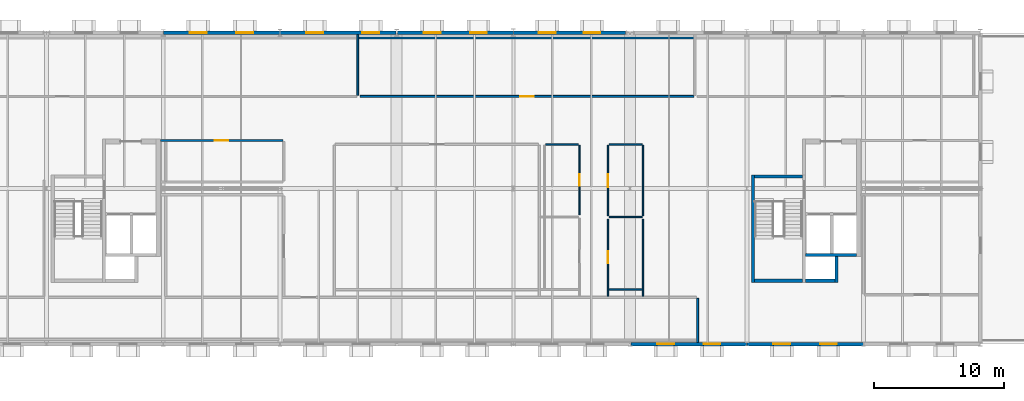
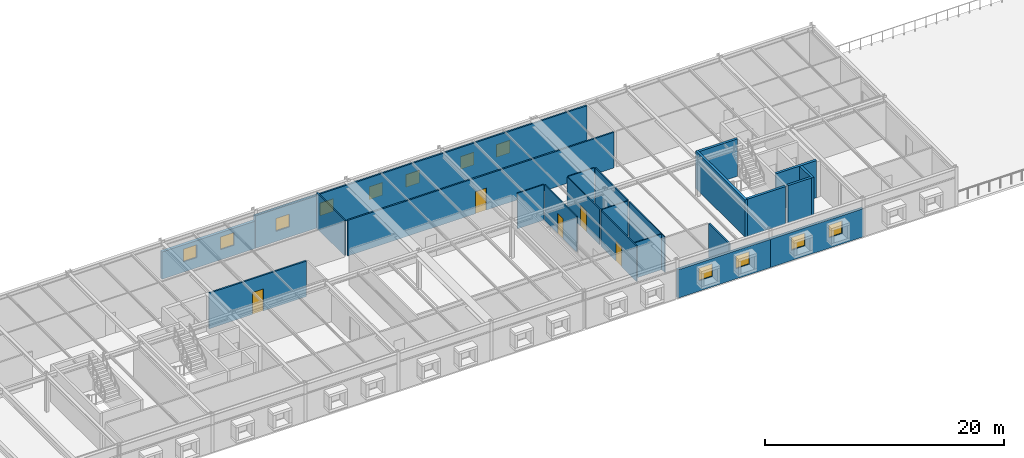
# One storey, part 13 of 17: 26 walls, 12 windows, 5 doors, 17 openings.
"""IFC4 building model written with IfcOpenShell, lengths in metres."""

from ifc_helpers import new_model, si_unit, direction, frame, frame_2d, origin, place, context, subcontext, project, spatial, rectangle, extrude, material, layer, layer_set, type_object, element, fill, save


model = new_model("IFC4")

# Units and contexts
model_context = context("Model", 3, precision=1e-05, world=origin(), true_north=direction((0.0, 1.0)))
body_context = subcontext(model_context, "Body", "Model", "MODEL_VIEW")
ifc_project = project(units=[si_unit("LENGTHUNIT", "METRE"), si_unit("AREAUNIT", "SQUARE_METRE"), si_unit("VOLUMEUNIT", "CUBIC_METRE"), si_unit("PLANEANGLEUNIT", "RADIAN"), si_unit("MASSUNIT", "GRAM", prefix="KILO")], contexts=[model_context])

# Site, building, storey
site_placement = place(None, origin())
site = spatial("IfcSite", under=ifc_project, at=site_placement, CompositionType="ELEMENT")
building_placement = place(site_placement, origin())
building = spatial("IfcBuilding", under=site, at=building_placement, Name="Montelvaro Courts of Justice", CompositionType="ELEMENT")
storey_placement = place(building_placement, frame((0.0, 0.0, 27.39990234375)))
storey = spatial("IfcBuildingStorey", under=building, at=storey_placement, Name="L06", CompositionType="ELEMENT", Elevation=27.39990234375)

# Wall
ifc_material_1 = material(Name="Gypsum board on metal stud")
ifc_layer_1 = layer(ifc_material_1, 0.14990234375)
ifc_layer_set_1 = layer_set([ifc_layer_1], Name="Gypsum board on metal stud")
wall_type_1 = type_object("IfcWallType", Name="ChambersPartition_150", PredefinedType="PARTITIONING", material=ifc_layer_set_1)
wall_1_placement = place(storey_placement, frame((104.199951171875, 3.52001953125, 0.0), z_axis=(0.0, 0.0, 1.0), x_axis=(0.0, -1.0, 0.0)))
element("IfcWall", 1, at=wall_1_placement, inside=storey, type_object=wall_type_1, Name="Interior Partition IW-04 (L06)", PredefinedType="PARTITIONING", context=body_context, shape_type="SweptSolid", body=[
    extrude(rectangle(XDim=3.385009765625, YDim=0.14990234375, at=frame_2d((1.6923828125, 0.0))), origin(), (0.0, 0.0, 1.0), 3.64013671875),
])

# Wall, opening, door
wall_2_placement = place(storey_placement, frame((62.794921875, 15.699951171875, 0.0), z_axis=(0.0, 0.0, 1.0), x_axis=(1.0, 0.0, 0.0)))
wall_2 = element("IfcWall", 2, at=wall_2_placement, inside=storey, type_object=wall_type_1, Name="Interior Partition IW-04 (L06)", PredefinedType="PARTITIONING", context=body_context, shape_type="SweptSolid", body=[
    extrude(rectangle(XDim=9.425048828125, YDim=0.14990234375, at=frame_2d((4.71240234375, 0.0))), origin(), (0.0, 0.0, 1.0), 3.64013671875),
])
opening_1_placement = place(wall_2_placement, frame((4.18701171875, 0.0, 0.0)))
opening_1 = element("IfcOpeningElement", 3, at=opening_1_placement, cuts=wall_2, Name="Opening D-L06-166", PredefinedType="OPENING", context=body_context, shape_type="SweptSolid", body=[
    extrude(rectangle(XDim=1.050048828125, YDim=2.25, at=frame_2d((0.52490234375, 1.125))), frame((0.0, 0.08984375, 0.0), z_axis=(0.0, -1.0, 0.0), x_axis=(1.0, 0.0, 0.0)), (0.0, 0.0, 1.0), 0.1796875),
])
ifc_material_2 = material(Name="Acoustic oak timber veneer", Category="wood")
door_type_1 = type_object("IfcDoorType", Name="ChamberDoor_105x225", OperationType="NOTDEFINED", PredefinedType="DOOR", material=ifc_material_2)
door_1_placement = place(opening_1_placement, origin())
door_1 = element("IfcDoor", 4, at=door_1_placement, inside=storey, type_object=door_type_1, Name="Interior Door D-L06-166 (Witness Waiting Suite L06)", OperationType="SINGLE_SWING_LEFT", OverallHeight=2.25, OverallWidth=1.050048828125, PredefinedType="DOOR", context=body_context, shape_type="SweptSolid", body=[
    extrude(rectangle(XDim=1.050048828125, YDim=2.25, at=frame_2d((0.52490234375, 1.125))), frame((0.0, 0.02490234375, 0.0), z_axis=(0.0, -1.0, 0.0), x_axis=(1.0, 0.0, 0.0)), (0.0, 0.0, 1.0), 0.050048828125),
])
fill(opening_1, door_1)

# Wall
wall_3_placement = place(storey_placement, frame((78.054931640625, 23.60009765625, 0.0), z_axis=(0.0, 0.0, 1.0), x_axis=(1.0, 0.0, 0.0)))
element("IfcWall", 5, at=wall_3_placement, inside=storey, type_object=wall_type_1, Name="Interior Partition IW-04 (L06)", PredefinedType="PARTITIONING", context=body_context, shape_type="SweptSolid", body=[
    extrude(rectangle(XDim=25.864990234375, YDim=0.14990234375, at=frame_2d((12.9326171875, 0.0))), origin(), (0.0, 0.0, 1.0), 3.64013671875),
])

# Wall, opening, door
wall_4_placement = place(storey_placement, frame((103.919921875, 19.10009765625, 0.0), z_axis=(0.0, 0.0, 1.0), x_axis=(-1.0, 0.0, 0.0)))
wall_4 = element("IfcWall", 6, at=wall_4_placement, inside=storey, type_object=wall_type_1, Name="Interior Partition IW-04 (L06)", PredefinedType="PARTITIONING", context=body_context, shape_type="SweptSolid", body=[
    extrude(rectangle(XDim=25.739990234375, YDim=0.14990234375, at=frame_2d((12.8701171875, 0.0))), origin(), (0.0, 0.0, 1.0), 3.64013671875),
])
opening_2_placement = place(wall_4_placement, frame((12.344970703125, 0.0, 0.0)))
opening_2 = element("IfcOpeningElement", 7, at=opening_2_placement, cuts=wall_4, Name="Opening D-L06-168", PredefinedType="OPENING", context=body_context, shape_type="SweptSolid", body=[
    extrude(rectangle(XDim=1.050048828125, YDim=2.25, at=frame_2d((0.52490234375, 1.125))), frame((0.0, 0.08984375, 0.0), z_axis=(0.0, -1.0, 0.0), x_axis=(1.0, 0.0, 0.0)), (0.0, 0.0, 1.0), 0.1796875),
])
door_2_placement = place(opening_2_placement, origin())
door_2 = element("IfcDoor", 8, at=door_2_placement, inside=storey, type_object=door_type_1, Name="Interior Door D-L06-168 (Jury Deliberation Suite 03)", OperationType="SINGLE_SWING_LEFT", OverallHeight=2.25, OverallWidth=1.050048828125, PredefinedType="DOOR", context=body_context, shape_type="SweptSolid", body=[
    extrude(rectangle(XDim=1.050048828125, YDim=2.25, at=frame_2d((0.52490234375, 1.125))), frame((0.0, 0.02490234375, 0.0), z_axis=(0.0, -1.0, 0.0), x_axis=(1.0, 0.0, 0.0)), (0.0, 0.0, 1.0), 0.050048828125),
])
fill(opening_2, door_2)

# Wall, openings, windows
ifc_material_3 = material(Name="White mineral precast concrete C45/55", Category="concrete")
ifc_layer_2 = layer(ifc_material_3, 0.280029296875)
ifc_layer_set_2 = layer_set([ifc_layer_2], Name="White mineral precast concrete C45/55")
wall_type_2 = type_object("IfcWallType", Name="ExtWall_GFRC_280", PredefinedType="SOLIDWALL", material=ifc_layer_set_2)
wall_5_placement = place(storey_placement, frame((80.94189453125, 24.0, 0.0), z_axis=(0.0, 0.0, 1.0), x_axis=(-1.0, 0.0, 0.0)))
wall_5 = element("IfcWall", 9, at=wall_5_placement, inside=storey, type_object=wall_type_2, Name="Exterior Facade Wall EW-01 (L06)", PredefinedType="SOLIDWALL", context=body_context, shape_type="SweptSolid", body=[
    extrude(rectangle(XDim=8.933837890625, YDim=0.280029296875, at=frame_2d((4.466796875, 0.0))), origin(), (0.0, 0.0, 1.0), 3.30517578125),
])
opening_3_placement = place(wall_5_placement, frame((1.302001953125, 0.0, 1.050048828125)))
opening_3 = element("IfcOpeningElement", 10, at=opening_3_placement, cuts=wall_5, Name="Opening WE-18", PredefinedType="OPENING", context=body_context, shape_type="SweptSolid", body=[
    extrude(rectangle(XDim=1.300048828125, YDim=1.300048828125, at=frame_2d((0.64990234375, 0.64990234375))), frame((0.0, 0.15478515625, 0.0), z_axis=(0.0, -1.0, 0.0), x_axis=(1.0, 0.0, 0.0)), (0.0, 0.0, 1.0), 0.309814453125),
])
opening_4_placement = place(wall_5_placement, frame((5.60400390625, 0.0, 1.050048828125)))
opening_4 = element("IfcOpeningElement", 11, at=opening_4_placement, cuts=wall_5, Name="Opening WE-18", PredefinedType="OPENING", context=body_context, shape_type="SweptSolid", body=[
    extrude(rectangle(XDim=1.300048828125, YDim=1.300048828125, at=frame_2d((0.64990234375, 0.64990234375))), frame((0.0, 0.15478515625, 0.0), z_axis=(0.0, -1.0, 0.0), x_axis=(1.0, 0.0, 0.0)), (0.0, 0.0, 1.0), 0.309814453125),
])
ifc_material_4 = material(Name="Low-E solar control double glazing", Category="glass")
window_type = type_object("IfcWindowType", Name="Win_Sq_130x130", PartitioningType="SINGLE_PANEL", PredefinedType="WINDOW", material=ifc_material_4)
window_1_placement = place(opening_3_placement, origin())
window_1 = element("IfcWindow", 12, at=window_1_placement, inside=storey, type_object=window_type, Name="Window W-L06-292", OverallHeight=1.300048828125, OverallWidth=1.300048828125, PartitioningType="SINGLE_PANEL", PredefinedType="WINDOW", context=body_context, shape_type="SweptSolid", body=[
    extrude(rectangle(XDim=1.300048828125, YDim=1.300048828125, at=frame_2d((0.64990234375, 0.64990234375))), frame((0.0, 0.030029296875, 0.0), z_axis=(0.0, -1.0, 0.0), x_axis=(1.0, 0.0, 0.0)), (0.0, 0.0, 1.0), 0.06005859375),
])
fill(opening_3, window_1)
window_2_placement = place(opening_4_placement, origin())
window_2 = element("IfcWindow", 13, at=window_2_placement, inside=storey, type_object=window_type, Name="Window W-L06-293", OverallHeight=1.300048828125, OverallWidth=1.300048828125, PartitioningType="SINGLE_PANEL", PredefinedType="WINDOW", context=body_context, shape_type="SweptSolid", body=[
    extrude(rectangle(XDim=1.300048828125, YDim=1.300048828125, at=frame_2d((0.64990234375, 0.64990234375))), frame((0.0, 0.030029296875, 0.0), z_axis=(0.0, -1.0, 0.0), x_axis=(1.0, 0.0, 0.0)), (0.0, 0.0, 1.0), 0.06005859375),
])
fill(opening_4, window_2)

wall_6_placement = place(storey_placement, frame((71.991943359375, 24.0, 0.0), z_axis=(0.0, 0.0, 1.0), x_axis=(-1.0, 0.0, 0.0)))
wall_6 = element("IfcWall", 14, at=wall_6_placement, inside=storey, type_object=wall_type_2, Name="Exterior Facade Wall EW-01 (L06)", PredefinedType="SOLIDWALL", context=body_context, shape_type="SweptSolid", body=[
    extrude(rectangle(XDim=8.98388671875, YDim=0.280029296875, at=frame_2d((4.491943359375, 0.0))), origin(), (0.0, 0.0, 1.0), 2.787109375),
])
opening_5_placement = place(wall_6_placement, frame((2.044921875, 0.0, 1.050048828125)))
opening_5 = element("IfcOpeningElement", 15, at=opening_5_placement, cuts=wall_6, Name="Opening WE-18", PredefinedType="OPENING", context=body_context, shape_type="SweptSolid", body=[
    extrude(rectangle(XDim=1.300048828125, YDim=1.300048828125, at=frame_2d((0.64990234375, 0.64990234375))), frame((0.0, 0.15478515625, 0.0), z_axis=(0.0, -1.0, 0.0), x_axis=(1.0, 0.0, 0.0)), (0.0, 0.0, 1.0), 0.309814453125),
])
opening_6_placement = place(wall_6_placement, frame((5.638916015625, 0.0, 1.050048828125)))
opening_6 = element("IfcOpeningElement", 16, at=opening_6_placement, cuts=wall_6, Name="Opening WE-18", PredefinedType="OPENING", context=body_context, shape_type="SweptSolid", body=[
    extrude(rectangle(XDim=1.300048828125, YDim=1.300048828125, at=frame_2d((0.64990234375, 0.64990234375))), frame((0.0, 0.15478515625, 0.0), z_axis=(0.0, -1.0, 0.0), x_axis=(1.0, 0.0, 0.0)), (0.0, 0.0, 1.0), 0.309814453125),
])
window_3_placement = place(opening_5_placement, origin())
window_3 = element("IfcWindow", 17, at=window_3_placement, inside=storey, type_object=window_type, Name="Window W-L06-294", OverallHeight=1.300048828125, OverallWidth=1.300048828125, PartitioningType="SINGLE_PANEL", PredefinedType="WINDOW", context=body_context, shape_type="SweptSolid", body=[
    extrude(rectangle(XDim=1.300048828125, YDim=1.300048828125, at=frame_2d((0.64990234375, 0.64990234375))), frame((0.0, 0.030029296875, 0.0), z_axis=(0.0, -1.0, 0.0), x_axis=(1.0, 0.0, 0.0)), (0.0, 0.0, 1.0), 0.06005859375),
])
fill(opening_5, window_3)
window_4_placement = place(opening_6_placement, origin())
window_4 = element("IfcWindow", 18, at=window_4_placement, inside=storey, type_object=window_type, Name="Window W-L06-295", OverallHeight=1.300048828125, OverallWidth=1.300048828125, PartitioningType="SINGLE_PANEL", PredefinedType="WINDOW", context=body_context, shape_type="SweptSolid", body=[
    extrude(rectangle(XDim=1.300048828125, YDim=1.300048828125, at=frame_2d((0.64990234375, 0.64990234375))), frame((0.0, 0.030029296875, 0.0), z_axis=(0.0, -1.0, 0.0), x_axis=(1.0, 0.0, 0.0)), (0.0, 0.0, 1.0), 0.06005859375),
])
fill(opening_6, window_4)

wall_7_placement = place(storey_placement, frame((98.652099609375, 24.0, 0.0), z_axis=(0.0, 0.0, 1.0), x_axis=(-1.0, 0.0, 0.0)))
wall_7 = element("IfcWall", 19, at=wall_7_placement, inside=storey, type_object=wall_type_2, Name="Exterior Facade Wall EW-01 (L06)", PredefinedType="SOLIDWALL", context=body_context, shape_type="SweptSolid", body=[
    extrude(rectangle(XDim=8.64404296875, YDim=0.280029296875, at=frame_2d((4.322021484375, 0.0))), origin(), (0.0, 0.0, 1.0), 3.30517578125),
])
opening_7_placement = place(wall_7_placement, frame((1.943115234375, 0.0, 1.050048828125)))
opening_7 = element("IfcOpeningElement", 20, at=opening_7_placement, cuts=wall_7, Name="Opening WE-18", PredefinedType="OPENING", context=body_context, shape_type="SweptSolid", body=[
    extrude(rectangle(XDim=1.300048828125, YDim=1.300048828125, at=frame_2d((0.64990234375, 0.64990234375))), frame((0.0, 0.15478515625, 0.0), z_axis=(0.0, -1.0, 0.0), x_axis=(1.0, 0.0, 0.0)), (0.0, 0.0, 1.0), 0.309814453125),
])
opening_8_placement = place(wall_7_placement, frame((5.40087890625, 0.0, 1.050048828125)))
opening_8 = element("IfcOpeningElement", 21, at=opening_8_placement, cuts=wall_7, Name="Opening WE-18", PredefinedType="OPENING", context=body_context, shape_type="SweptSolid", body=[
    extrude(rectangle(XDim=1.300048828125, YDim=1.300048828125, at=frame_2d((0.64990234375, 0.64990234375))), frame((0.0, 0.15478515625, 0.0), z_axis=(0.0, -1.0, 0.0), x_axis=(1.0, 0.0, 0.0)), (0.0, 0.0, 1.0), 0.309814453125),
])
window_5_placement = place(opening_7_placement, origin())
window_5 = element("IfcWindow", 22, at=window_5_placement, inside=storey, type_object=window_type, Name="Window W-L06-308", OverallHeight=1.300048828125, OverallWidth=1.300048828125, PartitioningType="SINGLE_PANEL", PredefinedType="WINDOW", context=body_context, shape_type="SweptSolid", body=[
    extrude(rectangle(XDim=1.300048828125, YDim=1.300048828125, at=frame_2d((0.64990234375, 0.64990234375))), frame((0.0, 0.030029296875, 0.0), z_axis=(0.0, -1.0, 0.0), x_axis=(1.0, 0.0, 0.0)), (0.0, 0.0, 1.0), 0.06005859375),
])
fill(opening_7, window_5)
window_6_placement = place(opening_8_placement, origin())
window_6 = element("IfcWindow", 23, at=window_6_placement, inside=storey, type_object=window_type, Name="Window W-L06-309", OverallHeight=1.300048828125, OverallWidth=1.300048828125, PartitioningType="SINGLE_PANEL", PredefinedType="WINDOW", context=body_context, shape_type="SweptSolid", body=[
    extrude(rectangle(XDim=1.300048828125, YDim=1.300048828125, at=frame_2d((0.64990234375, 0.64990234375))), frame((0.0, 0.030029296875, 0.0), z_axis=(0.0, -1.0, 0.0), x_axis=(1.0, 0.0, 0.0)), (0.0, 0.0, 1.0), 0.06005859375),
])
fill(opening_8, window_6)

wall_8_placement = place(storey_placement, frame((89.991943359375, 24.0, 0.0), z_axis=(0.0, 0.0, 1.0), x_axis=(-1.0, 0.0, 0.0)))
wall_8 = element("IfcWall", 24, at=wall_8_placement, inside=storey, type_object=wall_type_2, Name="Exterior Facade Wall EW-01 (L06)", PredefinedType="SOLIDWALL", context=body_context, shape_type="SweptSolid", body=[
    extrude(rectangle(XDim=8.933837890625, YDim=0.280029296875, at=frame_2d((4.466796875, 0.0))), origin(), (0.0, 0.0, 1.0), 3.30517578125),
])
opening_9_placement = place(wall_8_placement, frame((2.030029296875, 0.0, 1.050048828125)))
opening_9 = element("IfcOpeningElement", 25, at=opening_9_placement, cuts=wall_8, Name="Opening WE-18", PredefinedType="OPENING", context=body_context, shape_type="SweptSolid", body=[
    extrude(rectangle(XDim=1.300048828125, YDim=1.300048828125, at=frame_2d((0.64990234375, 0.64990234375))), frame((0.0, 0.15478515625, 0.0), z_axis=(0.0, -1.0, 0.0), x_axis=(1.0, 0.0, 0.0)), (0.0, 0.0, 1.0), 0.309814453125),
])
opening_10_placement = place(wall_8_placement, frame((5.60400390625, 0.0, 1.050048828125)))
opening_10 = element("IfcOpeningElement", 26, at=opening_10_placement, cuts=wall_8, Name="Opening WE-18", PredefinedType="OPENING", context=body_context, shape_type="SweptSolid", body=[
    extrude(rectangle(XDim=1.300048828125, YDim=1.300048828125, at=frame_2d((0.64990234375, 0.64990234375))), frame((0.0, 0.15478515625, 0.0), z_axis=(0.0, -1.0, 0.0), x_axis=(1.0, 0.0, 0.0)), (0.0, 0.0, 1.0), 0.309814453125),
])
window_7_placement = place(opening_9_placement, origin())
window_7 = element("IfcWindow", 27, at=window_7_placement, inside=storey, type_object=window_type, Name="Window W-L06-310", OverallHeight=1.300048828125, OverallWidth=1.300048828125, PartitioningType="SINGLE_PANEL", PredefinedType="WINDOW", context=body_context, shape_type="SweptSolid", body=[
    extrude(rectangle(XDim=1.300048828125, YDim=1.300048828125, at=frame_2d((0.64990234375, 0.64990234375))), frame((0.0, 0.030029296875, 0.0), z_axis=(0.0, -1.0, 0.0), x_axis=(1.0, 0.0, 0.0)), (0.0, 0.0, 1.0), 0.06005859375),
])
fill(opening_9, window_7)
window_8_placement = place(opening_10_placement, origin())
window_8 = element("IfcWindow", 28, at=window_8_placement, inside=storey, type_object=window_type, Name="Window W-L06-311", OverallHeight=1.300048828125, OverallWidth=1.300048828125, PartitioningType="SINGLE_PANEL", PredefinedType="WINDOW", context=body_context, shape_type="SweptSolid", body=[
    extrude(rectangle(XDim=1.300048828125, YDim=1.300048828125, at=frame_2d((0.64990234375, 0.64990234375))), frame((0.0, 0.030029296875, 0.0), z_axis=(0.0, -1.0, 0.0), x_axis=(1.0, 0.0, 0.0)), (0.0, 0.0, 1.0), 0.06005859375),
])
fill(opening_10, window_8)

wall_9_placement = place(storey_placement, frame((99.05810546875, 0.0, 0.0), z_axis=(0.0, 0.0, 1.0), x_axis=(1.0, 0.0, 0.0)))
wall_9 = element("IfcWall", 29, at=wall_9_placement, inside=storey, type_object=wall_type_2, Name="Exterior Facade Wall EW-01 (L06)", PredefinedType="SOLIDWALL", context=body_context, shape_type="SweptSolid", body=[
    extrude(rectangle(XDim=8.933837890625, YDim=0.280029296875, at=frame_2d((4.466796875, 0.0))), origin(), (0.0, 0.0, 1.0), 2.885009765625),
])
opening_11_placement = place(wall_9_placement, frame((2.030029296875, 0.0, 1.050048828125)))
opening_11 = element("IfcOpeningElement", 30, at=opening_11_placement, cuts=wall_9, Name="Opening WE-18", PredefinedType="OPENING", context=body_context, shape_type="SweptSolid", body=[
    extrude(rectangle(XDim=1.300048828125, YDim=1.300048828125, at=frame_2d((0.64990234375, 0.64990234375))), frame((0.0, 0.15478515625, 0.0), z_axis=(0.0, -1.0, 0.0), x_axis=(1.0, 0.0, 0.0)), (0.0, 0.0, 1.0), 0.309814453125),
])
opening_12_placement = place(wall_9_placement, frame((5.60400390625, 0.0, 1.050048828125)))
opening_12 = element("IfcOpeningElement", 31, at=opening_12_placement, cuts=wall_9, Name="Opening WE-18", PredefinedType="OPENING", context=body_context, shape_type="SweptSolid", body=[
    extrude(rectangle(XDim=1.300048828125, YDim=1.300048828125, at=frame_2d((0.64990234375, 0.64990234375))), frame((0.0, 0.15478515625, 0.0), z_axis=(0.0, -1.0, 0.0), x_axis=(1.0, 0.0, 0.0)), (0.0, 0.0, 1.0), 0.309814453125),
])
window_9_placement = place(opening_11_placement, origin())
window_9 = element("IfcWindow", 32, at=window_9_placement, inside=storey, type_object=window_type, Name="Window W-L06-312", OverallHeight=1.300048828125, OverallWidth=1.300048828125, PartitioningType="SINGLE_PANEL", PredefinedType="WINDOW", context=body_context, shape_type="SweptSolid", body=[
    extrude(rectangle(XDim=1.300048828125, YDim=1.300048828125, at=frame_2d((0.64990234375, 0.64990234375))), frame((0.0, 0.030029296875, 0.0), z_axis=(0.0, -1.0, 0.0), x_axis=(1.0, 0.0, 0.0)), (0.0, 0.0, 1.0), 0.06005859375),
])
fill(opening_11, window_9)
window_10_placement = place(opening_12_placement, origin())
window_10 = element("IfcWindow", 33, at=window_10_placement, inside=storey, type_object=window_type, Name="Window W-L06-313", OverallHeight=1.300048828125, OverallWidth=1.300048828125, PartitioningType="SINGLE_PANEL", PredefinedType="WINDOW", context=body_context, shape_type="SweptSolid", body=[
    extrude(rectangle(XDim=1.300048828125, YDim=1.300048828125, at=frame_2d((0.64990234375, 0.64990234375))), frame((0.0, 0.030029296875, 0.0), z_axis=(0.0, -1.0, 0.0), x_axis=(1.0, 0.0, 0.0)), (0.0, 0.0, 1.0), 0.06005859375),
])
fill(opening_12, window_10)

wall_10_placement = place(storey_placement, frame((108.008056640625, 0.0, 0.0), z_axis=(0.0, 0.0, 1.0), x_axis=(1.0, 0.0, 0.0)))
wall_10 = element("IfcWall", 34, at=wall_10_placement, inside=storey, type_object=wall_type_2, Name="Exterior Facade Wall EW-01 (L06)", PredefinedType="SOLIDWALL", context=body_context, shape_type="SweptSolid", body=[
    extrude(rectangle(XDim=8.98388671875, YDim=0.280029296875, at=frame_2d((4.491943359375, 0.0))), origin(), (0.0, 0.0, 1.0), 2.885009765625),
])
opening_13_placement = place(wall_10_placement, frame((2.044921875, 0.0, 1.050048828125)))
opening_13 = element("IfcOpeningElement", 35, at=opening_13_placement, cuts=wall_10, Name="Opening WE-18", PredefinedType="OPENING", context=body_context, shape_type="SweptSolid", body=[
    extrude(rectangle(XDim=1.300048828125, YDim=1.300048828125, at=frame_2d((0.64990234375, 0.64990234375))), frame((0.0, 0.15478515625, 0.0), z_axis=(0.0, -1.0, 0.0), x_axis=(1.0, 0.0, 0.0)), (0.0, 0.0, 1.0), 0.309814453125),
])
opening_14_placement = place(wall_10_placement, frame((5.638916015625, 0.0, 1.050048828125)))
opening_14 = element("IfcOpeningElement", 36, at=opening_14_placement, cuts=wall_10, Name="Opening WE-18", PredefinedType="OPENING", context=body_context, shape_type="SweptSolid", body=[
    extrude(rectangle(XDim=1.300048828125, YDim=1.300048828125, at=frame_2d((0.64990234375, 0.64990234375))), frame((0.0, 0.15478515625, 0.0), z_axis=(0.0, -1.0, 0.0), x_axis=(1.0, 0.0, 0.0)), (0.0, 0.0, 1.0), 0.309814453125),
])
window_11_placement = place(opening_13_placement, origin())
window_11 = element("IfcWindow", 37, at=window_11_placement, inside=storey, type_object=window_type, Name="Window W-L06-314", OverallHeight=1.300048828125, OverallWidth=1.300048828125, PartitioningType="SINGLE_PANEL", PredefinedType="WINDOW", context=body_context, shape_type="SweptSolid", body=[
    extrude(rectangle(XDim=1.300048828125, YDim=1.300048828125, at=frame_2d((0.64990234375, 0.64990234375))), frame((0.0, 0.030029296875, 0.0), z_axis=(0.0, -1.0, 0.0), x_axis=(1.0, 0.0, 0.0)), (0.0, 0.0, 1.0), 0.06005859375),
])
fill(opening_13, window_11)
window_12_placement = place(opening_14_placement, origin())
window_12 = element("IfcWindow", 38, at=window_12_placement, inside=storey, type_object=window_type, Name="Window W-L06-315", OverallHeight=1.300048828125, OverallWidth=1.300048828125, PartitioningType="SINGLE_PANEL", PredefinedType="WINDOW", context=body_context, shape_type="SweptSolid", body=[
    extrude(rectangle(XDim=1.300048828125, YDim=1.300048828125, at=frame_2d((0.64990234375, 0.64990234375))), frame((0.0, 0.030029296875, 0.0), z_axis=(0.0, -1.0, 0.0), x_axis=(1.0, 0.0, 0.0)), (0.0, 0.0, 1.0), 0.06005859375),
])
fill(opening_14, window_12)

# Walls
ifc_layer_3 = layer(ifc_material_1, 0.1201171875)
ifc_layer_set_3 = layer_set([ifc_layer_3], Name="Gypsum board on metal stud")
wall_type_3 = type_object("IfcWallType", Name="OfficePartition_120", PredefinedType="PARTITIONING", material=ifc_layer_set_3)
wall_11_placement = place(storey_placement, frame((78.0, 23.864990234375, 0.0), z_axis=(0.0, 0.0, 1.0), x_axis=(0.0, -1.0, 0.0)))
element("IfcWall", 39, at=wall_11_placement, inside=storey, type_object=wall_type_3, Name="Interior Partition IW-05 (L06)", PredefinedType="PARTITIONING", context=body_context, shape_type="SweptSolid", body=[
    extrude(rectangle(XDim=4.68505859375, YDim=0.1201171875, at=frame_2d((2.342529296875, 0.0))), origin(), (0.0, 0.0, 1.0), 3.64013671875),
])
ifc_material_5 = material(Name="Concrete C35/45", Category="concrete")
ifc_layer_4 = layer(ifc_material_5, 0.239990234375)
ifc_layer_set_4 = layer_set([ifc_layer_4], Name="Concrete C35/45")
wall_type_4 = type_object("IfcWallType", Name="ShaftWall_240", PredefinedType="SHEAR", material=ifc_layer_set_4)
wall_12_placement = place(storey_placement, frame((108.47998046875, 4.760009765625, 0.0), z_axis=(0.0, 0.0, 1.0), x_axis=(0.0, 1.0, 0.0)))
element("IfcWall", 40, at=wall_12_placement, inside=storey, type_object=wall_type_4, Name="Protected Stair Structural Wall ST-K2-W (L06)", PredefinedType="SHEAR", context=body_context, shape_type="SweptSolid", body=[
    extrude(rectangle(XDim=8.280029296875, YDim=0.239990234375, at=frame_2d((4.14013671875, 0.0))), origin(), (0.0, 0.0, 1.0), 3.81005859375),
])
for number, where, z_axis, x_axis, name in (
    (41, (108.60009765625, 4.8798828125, 0.0), (0.0, 0.0, 1.0), (1.0, 0.0, 0.0), "Protected Stair Structural Wall ST-K2-S (L06)"),
    (42, (108.60009765625, 12.919921875, 0.0), (0.0, 0.0, 1.0), (1.0, 0.0, 0.0), "Protected Stair Structural Wall ST-K2-N (L06)"),
):
    element("IfcWall", number, at=place(storey_placement, frame(where, z_axis=z_axis, x_axis=x_axis)), inside=storey, type_object=wall_type_4, Name=name, PredefinedType="SHEAR", context=body_context, shape_type="SweptSolid", body=[
        extrude(rectangle(XDim=3.699951171875, YDim=0.239990234375, at=frame_2d((1.85009765625, 0.0))), origin(), (0.0, 0.0, 1.0), 3.81005859375),
    ])
wall_13_placement = place(storey_placement, frame((112.5400390625, 6.8798828125, 0.0), z_axis=(0.0, 0.0, 1.0), x_axis=(1.0, 0.0, 0.0)))
element("IfcWall", 43, at=wall_13_placement, inside=storey, type_object=wall_type_4, Name="Lift Shaft Back Wall K2 (L06)", PredefinedType="SHEAR", context=body_context, shape_type="SweptSolid", body=[
    extrude(rectangle(XDim=3.89990234375, YDim=0.239990234375, at=frame_2d((1.949951171875, 0.0))), origin(), (0.0, 0.0, 1.0), 3.81005859375),
])
wall_14_placement = place(storey_placement, frame((114.919921875, 4.760009765625, 0.0), z_axis=(0.0, 0.0, 1.0), x_axis=(0.0, 1.0, 0.0)))
element("IfcWall", 44, at=wall_14_placement, inside=storey, type_object=wall_type_4, Name="Service Riser East Shaft Wall K2 (L06)", PredefinedType="SHEAR", context=body_context, shape_type="SweptSolid", body=[
    extrude(rectangle(XDim=2.0, YDim=0.239990234375, at=frame_2d((1.0, 0.0))), origin(), (0.0, 0.0, 1.0), 3.81005859375),
])
wall_15_placement = place(storey_placement, frame((112.5400390625, 4.8798828125, 0.0), z_axis=(0.0, 0.0, 1.0), x_axis=(1.0, 0.0, 0.0)))
element("IfcWall", 45, at=wall_15_placement, inside=storey, type_object=wall_type_4, Name="Service Riser South Shaft Wall K2 (L06)", PredefinedType="SHEAR", context=body_context, shape_type="SweptSolid", body=[
    extrude(rectangle(XDim=2.260009765625, YDim=0.239990234375, at=frame_2d((1.1298828125, 0.0))), origin(), (0.0, 0.0, 1.0), 3.81005859375),
])
ifc_material_6 = material(Name="Moisture-resistant cement board")
ifc_layer_5 = layer(ifc_material_6, 0.10009765625)
ifc_layer_set_5 = layer_set([ifc_layer_5], Name="Moisture-resistant cement board")
wall_type_5 = type_object("IfcWallType", Name="WetWall_100", PredefinedType="PARTITIONING", material=ifc_layer_set_5)
wall_16_placement = place(storey_placement, frame((92.47998046875, 15.39990234375, 0.0), z_axis=(0.0, 0.0, 1.0), x_axis=(1.0, 0.0, 0.0)))
element("IfcWall", 46, at=wall_16_placement, inside=storey, type_object=wall_type_5, Name="Interior Partition IW-06 (L06)", PredefinedType="PARTITIONING", context=body_context, shape_type="SweptSolid", body=[
    extrude(rectangle(XDim=2.5400390625, YDim=0.10009765625, at=frame_2d((1.27001953125, 0.0))), origin(), (0.0, 0.0, 1.0), 3.64013671875),
])

# Wall, opening, door
wall_17_placement = place(storey_placement, frame((95.10009765625, 15.320068359375, 0.0), z_axis=(0.0, 0.0, 1.0), x_axis=(0.0, -1.0, 0.0)))
wall_17 = element("IfcWall", 47, at=wall_17_placement, inside=storey, type_object=wall_type_5, Name="Interior Partition IW-06 (L06)", PredefinedType="PARTITIONING", context=body_context, shape_type="SweptSolid", body=[
    extrude(rectangle(XDim=5.340087890625, YDim=0.10009765625, at=frame_2d((2.669921875, 0.0))), origin(), (0.0, 0.0, 1.0), 3.64013671875),
])
opening_15_placement = place(wall_17_placement, frame((2.219970703125, 0.0, 0.0)))
opening_15 = element("IfcOpeningElement", 48, at=opening_15_placement, cuts=wall_17, Name="Opening D-L06-174", PredefinedType="OPENING", context=body_context, shape_type="SweptSolid", body=[
    extrude(rectangle(XDim=0.89990234375, YDim=2.050048828125, at=frame_2d((0.449951171875, 1.02490234375))), frame((0.0, 0.06494140625, 0.0), z_axis=(0.0, -1.0, 0.0), x_axis=(1.0, 0.0, 0.0)), (0.0, 0.0, 1.0), 0.1298828125),
])
door_type_2 = type_object("IfcDoorType", Name="RestroomDoor_090x205", OperationType="NOTDEFINED", PredefinedType="DOOR", material=ifc_material_2)
door_3_placement = place(opening_15_placement, origin())
door_3 = element("IfcDoor", 49, at=door_3_placement, inside=storey, type_object=door_type_2, Name="Interior Door D-L06-174 (Sixth Floor Female Restroom)", OperationType="SINGLE_SWING_LEFT", OverallHeight=2.050048828125, OverallWidth=0.89990234375, PredefinedType="DOOR", context=body_context, shape_type="SweptSolid", body=[
    extrude(rectangle(XDim=0.89990234375, YDim=2.050048828125, at=frame_2d((0.449951171875, 1.02490234375))), frame((0.0, 0.02490234375, 0.0), z_axis=(0.0, -1.0, 0.0), x_axis=(1.0, 0.0, 0.0)), (0.0, 0.0, 1.0), 0.050048828125),
])
fill(opening_15, door_3)

wall_18_placement = place(storey_placement, frame((97.300048828125, 9.8798828125, 0.0), z_axis=(0.0, 0.0, 1.0), x_axis=(0.0, 1.0, 0.0)))
wall_18 = element("IfcWall", 50, at=wall_18_placement, inside=storey, type_object=wall_type_5, Name="Interior Partition IW-06 (L06)", PredefinedType="PARTITIONING", context=body_context, shape_type="SweptSolid", body=[
    extrude(rectangle(XDim=5.440185546875, YDim=0.10009765625, at=frame_2d((2.72021484375, 0.0))), origin(), (0.0, 0.0, 1.0), 3.64013671875),
])
opening_16_placement = place(wall_18_placement, frame((2.219970703125, 0.0, 0.0)))
opening_16 = element("IfcOpeningElement", 51, at=opening_16_placement, cuts=wall_18, Name="Opening D-L06-175", PredefinedType="OPENING", context=body_context, shape_type="SweptSolid", body=[
    extrude(rectangle(XDim=1.0, YDim=2.10009765625, at=frame_2d((0.5, 1.050048828125))), frame((0.0, 0.06494140625, 0.0), z_axis=(0.0, -1.0, 0.0), x_axis=(1.0, 0.0, 0.0)), (0.0, 0.0, 1.0), 0.1298828125),
])
door_type_3 = type_object("IfcDoorType", Name="AccessibleWCDoor_100x210", OperationType="NOTDEFINED", PredefinedType="DOOR", material=ifc_material_2)
door_4_placement = place(opening_16_placement, frame((1.0, 0.0, 0.0), z_axis=(0.0, 0.0, 1.0), x_axis=(-1.0, 0.0, 0.0)))
door_4 = element("IfcDoor", 52, at=door_4_placement, inside=storey, type_object=door_type_3, Name="Interior Door D-L06-175 (Sixth Floor Accessible WC)", OperationType="SINGLE_SWING_RIGHT", OverallHeight=2.10009765625, OverallWidth=1.0, PredefinedType="DOOR", context=body_context, shape_type="SweptSolid", body=[
    extrude(rectangle(XDim=1.0, YDim=2.10009765625, at=frame_2d((0.5, 1.050048828125))), frame((0.0, 0.02490234375, 0.0), z_axis=(0.0, -1.0, 0.0), x_axis=(1.0, 0.0, 0.0)), (0.0, 0.0, 1.0), 0.050048828125),
])
fill(opening_16, door_4)

# Walls
wall_19_placement = place(storey_placement, frame((97.3798828125, 15.39990234375, 0.0), z_axis=(0.0, 0.0, 1.0), x_axis=(1.0, 0.0, 0.0)))
element("IfcWall", 53, at=wall_19_placement, inside=storey, type_object=wall_type_5, Name="Interior Partition IW-06 (L06)", PredefinedType="PARTITIONING", context=body_context, shape_type="SweptSolid", body=[
    extrude(rectangle(XDim=2.5400390625, YDim=0.10009765625, at=frame_2d((1.27001953125, 0.0))), origin(), (0.0, 0.0, 1.0), 3.64013671875),
])
wall_20_placement = place(storey_placement, frame((100.0, 15.320068359375, 0.0), z_axis=(0.0, 0.0, 1.0), x_axis=(0.0, -1.0, 0.0)))
element("IfcWall", 54, at=wall_20_placement, inside=storey, type_object=wall_type_5, Name="Interior Partition IW-06 (L06)", PredefinedType="PARTITIONING", context=body_context, shape_type="SweptSolid", body=[
    extrude(rectangle(XDim=5.440185546875, YDim=0.10009765625, at=frame_2d((2.72021484375, 0.0))), origin(), (0.0, 0.0, 1.0), 3.64013671875),
])
wall_21_placement = place(storey_placement, frame((99.919921875, 9.800048828125, 0.0), z_axis=(0.0, 0.0, 1.0), x_axis=(-1.0, 0.0, 0.0)))
element("IfcWall", 55, at=wall_21_placement, inside=storey, type_object=wall_type_5, Name="Interior Partition IW-06 (L06)", PredefinedType="PARTITIONING", context=body_context, shape_type="SweptSolid", body=[
    extrude(rectangle(XDim=2.5400390625, YDim=0.10009765625, at=frame_2d((1.27001953125, 0.0))), origin(), (0.0, 0.0, 1.0), 3.64013671875),
])
wall_22_placement = place(storey_placement, frame((100.0, 9.6201171875, 0.0), z_axis=(0.0, 0.0, 1.0), x_axis=(0.0, -1.0, 0.0)))
element("IfcWall", 56, at=wall_22_placement, inside=storey, type_object=wall_type_5, Name="Interior Partition IW-06 (L06)", PredefinedType="PARTITIONING", context=body_context, shape_type="SweptSolid", body=[
    extrude(rectangle(XDim=5.9501953125, YDim=0.10009765625, at=frame_2d((2.97509765625, 0.0))), origin(), (0.0, 0.0, 1.0), 3.64013671875),
])
wall_23_placement = place(storey_placement, frame((99.955078125, 4.199951171875, 0.0), z_axis=(0.0, 0.0, 1.0), x_axis=(-1.0, 0.0, 0.0)))
element("IfcWall", 57, at=wall_23_placement, inside=storey, type_object=wall_type_5, Name="Interior Partition IW-06 (L06)", PredefinedType="PARTITIONING", context=body_context, shape_type="SweptSolid", body=[
    extrude(rectangle(XDim=2.5751953125, YDim=0.10009765625, at=frame_2d((1.28759765625, 0.0))), origin(), (0.0, 0.0, 1.0), 3.64013671875),
])

# Wall, opening, door
wall_24_placement = place(storey_placement, frame((97.300048828125, 3.669921875, 0.0), z_axis=(0.0, 0.0, 1.0), x_axis=(0.0, 1.0, 0.0)))
wall_24 = element("IfcWall", 58, at=wall_24_placement, inside=storey, type_object=wall_type_5, Name="Interior Partition IW-06 (L06)", PredefinedType="PARTITIONING", context=body_context, shape_type="SweptSolid", body=[
    extrude(rectangle(XDim=5.9501953125, YDim=0.10009765625, at=frame_2d((2.97509765625, 0.0))), origin(), (0.0, 0.0, 1.0), 3.64013671875),
])
opening_17_placement = place(wall_24_placement, frame((2.571044921875, 0.0, 0.0)))
opening_17 = element("IfcOpeningElement", 59, at=opening_17_placement, cuts=wall_24, Name="Opening D-L06-176", PredefinedType="OPENING", context=body_context, shape_type="SweptSolid", body=[
    extrude(rectangle(XDim=0.89990234375, YDim=2.050048828125, at=frame_2d((0.449951171875, 1.02490234375))), frame((0.0, 0.06494140625, 0.0), z_axis=(0.0, -1.0, 0.0), x_axis=(1.0, 0.0, 0.0)), (0.0, 0.0, 1.0), 0.1298828125),
])
door_5_placement = place(opening_17_placement, origin())
door_5 = element("IfcDoor", 60, at=door_5_placement, inside=storey, type_object=door_type_2, Name="Interior Door D-L06-176 (Sixth Floor Cleaners' Store)", OperationType="SINGLE_SWING_LEFT", OverallHeight=2.050048828125, OverallWidth=0.89990234375, PredefinedType="DOOR", context=body_context, shape_type="SweptSolid", body=[
    extrude(rectangle(XDim=0.89990234375, YDim=2.050048828125, at=frame_2d((0.449951171875, 1.02490234375))), frame((0.0, 0.02490234375, 0.0), z_axis=(0.0, -1.0, 0.0), x_axis=(1.0, 0.0, 0.0)), (0.0, 0.0, 1.0), 0.050048828125),
])
fill(opening_17, door_5)

save(model, "model.ifc")
